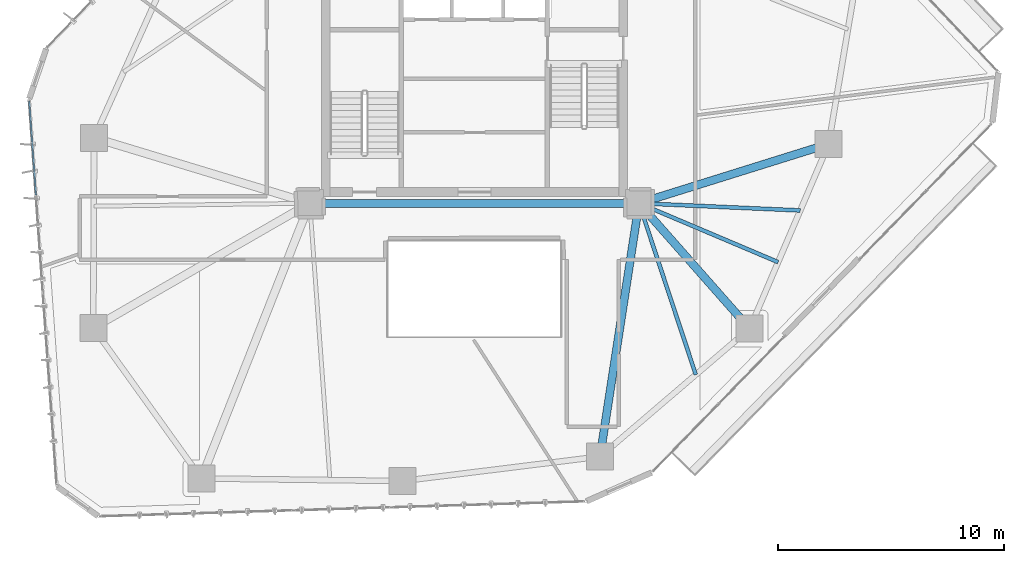
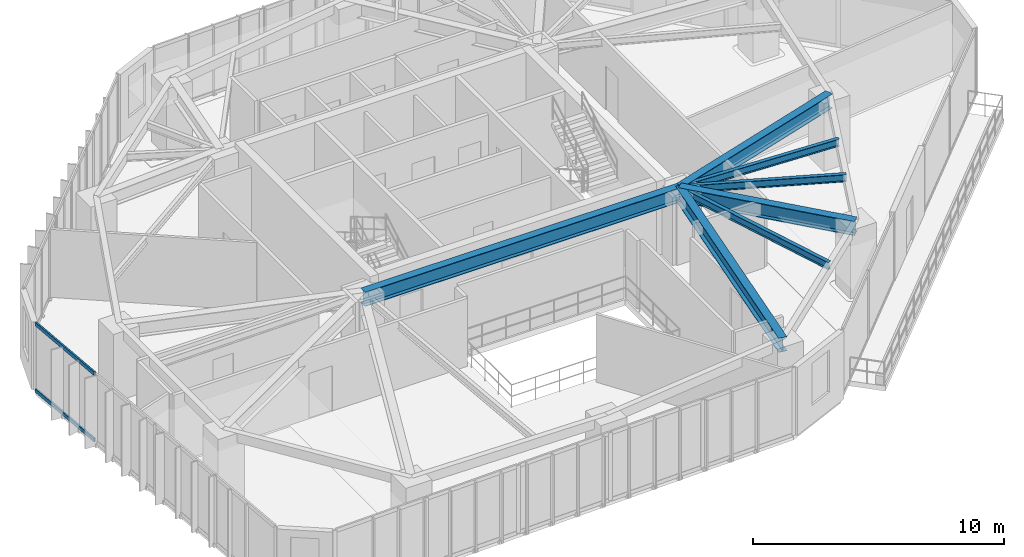
# One storey, part 7 of 23: 7 beams, 2 members, 1 element without a shape of its own.
"""IFC4 building model written with IfcOpenShell, lengths in metres."""

from ifc_helpers import new_model, si_unit, direction, frame, origin, origin_2d, place, context, subcontext, project, spatial, hollow_rectangle, i_section, extrude, source, transform, mapped, material, layer, layer_set, material_profile, profile_set, type_object, type_shapes, element, aggregate, save


model = new_model("IFC4")

# Units and contexts
model_context = context("Model", 3, precision=1e-05, world=origin(), true_north=direction((0.0, 1.0)))
body_context = subcontext(model_context, "Body", "Model", "MODEL_VIEW")
ifc_project = project(units=[si_unit("LENGTHUNIT", "METRE"), si_unit("AREAUNIT", "SQUARE_METRE"), si_unit("VOLUMEUNIT", "CUBIC_METRE"), si_unit("PLANEANGLEUNIT", "RADIAN"), si_unit("MASSUNIT", "GRAM", prefix="KILO")], contexts=[model_context])

# Site, building, storey
site_placement = place(None, origin())
site = spatial("IfcSite", under=ifc_project, at=site_placement, CompositionType="ELEMENT")
building_placement = place(site_placement, origin())
building = spatial("IfcBuilding", under=site, at=building_placement, Name="Talar Marvaseh", CompositionType="ELEMENT")
storey_placement = place(building_placement, frame((0.0, 0.0, 96.60009765625)))
storey = spatial("IfcBuildingStorey", under=building, at=storey_placement, Name="L24", CompositionType="ELEMENT", Elevation=96.60009765625)

# Beams
ifc_material_1 = material(Name="Steel S355", Category="steel")
ifc_material_profile_1 = material_profile(ifc_material_1, i_section(OverallWidth=0.35498046875, OverallDepth=0.695068359375, WebThickness=0.015380859375, FlangeThickness=0.02490234375, at=origin_2d()), Name="W690x217")
ifc_profile_set_1 = profile_set([ifc_material_profile_1], Name="Steel S355")
beam_type_1 = type_object("IfcBeamType", Name="Zone 2 Radial Floor Girder W690x217", PredefinedType="BEAM", material=ifc_profile_set_1)
beam_1_placement = place(storey_placement, frame((18.699951171875, 25.5, 2.96240234375), z_axis=(1.0, 0.0, 0.0), x_axis=(0.0, 1.0, 0.0)))
element("IfcBeam", 1, at=beam_1_placement, inside=storey, type_object=beam_type_1, Name="L24 Zone 2 Radial Floor Girder W690x217", PredefinedType="BEAM", context=body_context, shape_type="SweptSolid", body=[
    extrude(i_section(OverallWidth=0.35498046875, OverallDepth=0.695068359375, WebThickness=0.015380859375, FlangeThickness=0.02490234375, at=origin_2d()), origin(), (0.0, 0.0, 1.0), 14.60009765625),
])
beam_2_placement = place(storey_placement, frame((41.708984375, 28.1279296875, 2.96240234375), z_axis=(-0.954475540106, -0.298289194138, 0.0), x_axis=(0.298289194138, -0.954475540106, 0.0)))
element("IfcBeam", 2, at=beam_2_placement, inside=storey, type_object=beam_type_1, Name="L24 Zone 2 Radial Floor Girder W690x217", PredefinedType="BEAM", context=body_context, shape_type="SweptSolid", body=[
    extrude(i_section(OverallWidth=0.35498046875, OverallDepth=0.695068359375, WebThickness=0.015380859375, FlangeThickness=0.02490234375, at=origin_2d()), origin(), (0.0, 0.0, 1.0), 8.81005859375),
])
beam_3_placement = place(storey_placement, frame((38.2060546875, 19.94091796875, 2.96240234375), z_axis=(-0.661692423388, 0.749775390921, 0.0), x_axis=(-0.749775390921, -0.661692423388, 0.0)))
element("IfcBeam", 3, at=beam_3_placement, inside=storey, type_object=beam_type_1, Name="L24 Zone 2 Radial Floor Girder W690x217", PredefinedType="BEAM", context=body_context, shape_type="SweptSolid", body=[
    extrude(i_section(OverallWidth=0.35498046875, OverallDepth=0.695068359375, WebThickness=0.015380859375, FlangeThickness=0.02490234375, at=origin_2d()), origin(), (0.0, 0.0, 1.0), 7.414306640625),
])
beam_4_placement = place(storey_placement, frame((31.570068359375, 14.26806640625, 2.96240234375), z_axis=(0.152228300633, 0.98834535689, 0.0), x_axis=(-0.98834535689, 0.152228300633, 0.0)))
element("IfcBeam", 4, at=beam_4_placement, inside=storey, type_object=beam_type_1, Name="L24 Zone 2 Radial Floor Girder W690x217", PredefinedType="BEAM", context=body_context, shape_type="SweptSolid", body=[
    extrude(i_section(OverallWidth=0.35498046875, OverallDepth=0.695068359375, WebThickness=0.015380859375, FlangeThickness=0.02490234375, at=origin_2d()), origin(), (0.0, 0.0, 1.0), 11.364501953125),
])
ifc_material_profile_2 = material_profile(ifc_material_1, i_section(OverallWidth=0.172119140625, OverallDepth=0.35791015625, WebThickness=0.0078125, FlangeThickness=0.01318359375, at=origin_2d()), Name="W360x57")
ifc_profile_set_2 = profile_set([ifc_material_profile_2], Name="Steel S355")
beam_type_2 = type_object("IfcBeamType", Name="Zone 2 Secondary Floor Joist W360x57", PredefinedType="JOIST", material=ifc_profile_set_2)
beam_5_placement = place(storey_placement, frame((40.447998046875, 25.1806640625, 3.130859375), z_axis=(-0.999003555358, 0.044630666385, 0.0), x_axis=(-0.044630666385, -0.999003555358, 0.0)))
element("IfcBeam", 5, at=beam_5_placement, inside=storey, type_object=beam_type_2, Name="L24 Zone 2 Secondary Floor Joist W360x57", PredefinedType="JOIST", context=body_context, shape_type="SweptSolid", body=[
    extrude(i_section(OverallWidth=0.172119140625, OverallDepth=0.35791015625, WebThickness=0.0078125, FlangeThickness=0.01318359375, at=origin_2d()), origin(), (0.0, 0.0, 1.0), 7.155029296875),
])
beam_6_placement = place(storey_placement, frame((39.467041015625, 22.88818359375, 3.130859375), z_axis=(-0.920822287071, 0.389982455546, 0.0), x_axis=(-0.389982455546, -0.920822287071, 0.0)))
element("IfcBeam", 6, at=beam_6_placement, inside=storey, type_object=beam_type_2, Name="L24 Zone 2 Secondary Floor Joist W360x57", PredefinedType="JOIST", context=body_context, shape_type="SweptSolid", body=[
    extrude(i_section(OverallWidth=0.172119140625, OverallDepth=0.35791015625, WebThickness=0.0078125, FlangeThickness=0.01318359375, at=origin_2d()), origin(), (0.0, 0.0, 1.0), 6.697265625),
])
beam_7_placement = place(storey_placement, frame((35.81689453125, 17.898681640625, 3.130859375), z_axis=(-0.314324535154, 0.949315588516, 0.0), x_axis=(-0.949315588516, -0.314324535154, 0.0)))
element("IfcBeam", 7, at=beam_7_placement, inside=storey, type_object=beam_type_2, Name="L24 Zone 2 Secondary Floor Joist W360x57", PredefinedType="JOIST", context=body_context, shape_type="SweptSolid", body=[
    extrude(i_section(OverallWidth=0.172119140625, OverallDepth=0.35791015625, WebThickness=0.0078125, FlangeThickness=0.01318359375, at=origin_2d()), origin(), (0.0, 0.0, 1.0), 8.007080078125),
])

# Curtain wall, members
ifc_material_2 = material(Name="Architectural Aluminium", Category="aluminium")
ifc_layer = layer(ifc_material_2, 0.199951171875)
ifc_layer_set = layer_set([ifc_layer], Name="Architectural Aluminium")
curtain_wall_type = type_object("IfcCurtainWallType", Name="Unitised Acoustic Library Curtain Wall Z2", PredefinedType="NOTDEFINED", material=ifc_layer_set)
curtain_wall_placement = place(storey_placement, origin())
curtain_wall = element("IfcCurtainWall", 8, at=curtain_wall_placement, inside=storey, type_object=curtain_wall_type, Name="L24 Unitised Acoustic Library Curtain Wall Z2", PredefinedType="NOTDEFINED")
ifc_material_profile_3 = material_profile(ifc_material_2, hollow_rectangle(XDim=0.074951171875, YDim=0.179931640625, WallThickness=0.0048828125, at=origin_2d()), Name="RHS180x75x5")
ifc_profile_set_3 = profile_set([ifc_material_profile_3], Name="Architectural Aluminium")
member_type = type_object("IfcMemberType", Name="Unitised Curtain Wall Transom RHS180x75x5", PredefinedType="USERDEFINED", material=ifc_profile_set_3)
shared_shape = source(origin(), body_context, "Body", "SweptSolid", [
    extrude(hollow_rectangle(XDim=0.074951171875, YDim=0.179931640625, WallThickness=0.0048828125, at=origin_2d()), origin(), (0.0, 0.0, 1.0), 4.185546875),
])
type_shapes(member_type, [shared_shape])
member_1_placement = place(storey_placement, frame((6.5595703125, 25.86572265625, 0.037353515625), z_axis=(-0.071396279994, 0.997448029324, 0.0), x_axis=(-0.997448029324, -0.071396279994, 0.0)))
member_1 = element("IfcMember", 9, at=member_1_placement, type_object=member_type, Name="CW-Z2 transom 4.1", ObjectType="TRANSOM", PredefinedType="USERDEFINED", context=body_context, shape_type="MappedRepresentation", body=[
    mapped(shared_shape, transform((0.0, 0.0, 0.0), x_axis=(1.0, 0.0, 0.0), y_axis=(0.0, 1.0, 0.0), z_axis=(0.0, 0.0, 1.0), scale=1.0)),
])
member_2_placement = place(storey_placement, frame((6.5595703125, 25.86572265625, 3.2724609375), z_axis=(-0.071396279994, 0.997448029324, 0.0), x_axis=(-0.997448029324, -0.071396279994, 0.0)))
member_2 = element("IfcMember", 10, at=member_2_placement, type_object=member_type, Name="CW-Z2 transom 4.2", ObjectType="TRANSOM", PredefinedType="USERDEFINED", context=body_context, shape_type="MappedRepresentation", body=[
    mapped(shared_shape, transform((0.0, 0.0, 0.0), x_axis=(1.0, 0.0, 0.0), y_axis=(0.0, 1.0, 0.0), z_axis=(0.0, 0.0, 1.0), scale=1.0)),
])
aggregate(curtain_wall, [member_1, member_2])

save(model, "model.ifc")
